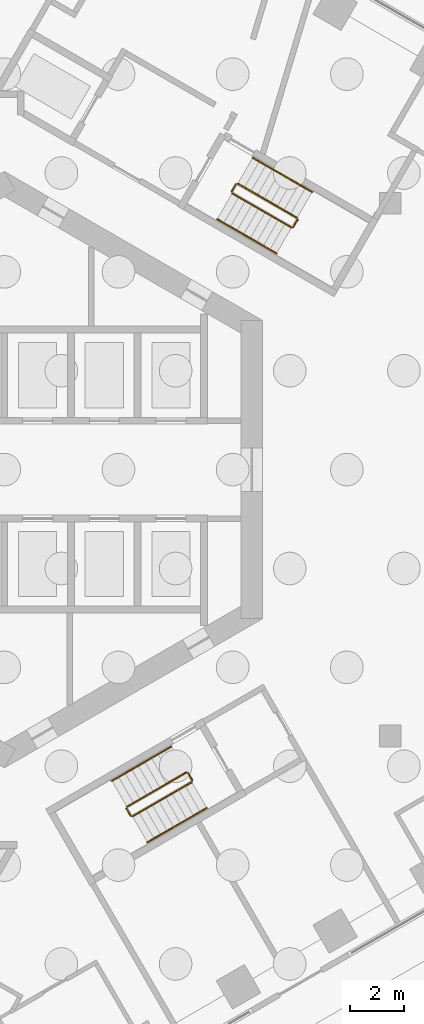
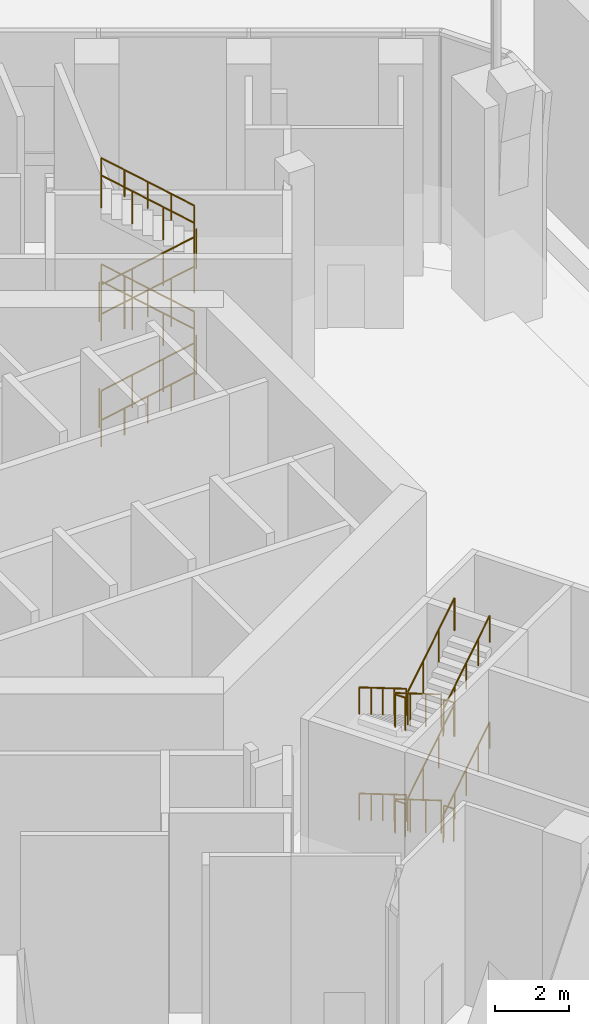
# One storey, part 17 of 18: 32 railings.
"""IFC4 building model written with IfcOpenShell, lengths in metres."""

from ifc_helpers import new_model, si_unit, direction, frame, origin, origin_2d, place, context, subcontext, project, spatial, circle, extrude, material, type_object, element, save


model = new_model("IFC4")

# Units and contexts
model_context = context("Model", 3, precision=1e-05, world=origin(), true_north=direction((0.0, 1.0)))
body_context = subcontext(model_context, "Body", "Model", "MODEL_VIEW")
ifc_project = project(units=[si_unit("LENGTHUNIT", "METRE"), si_unit("AREAUNIT", "SQUARE_METRE"), si_unit("VOLUMEUNIT", "CUBIC_METRE"), si_unit("PLANEANGLEUNIT", "RADIAN"), si_unit("MASSUNIT", "GRAM", prefix="KILO")], contexts=[model_context])

# Site, building, storey
site_placement = place(None, origin())
site = spatial("IfcSite", under=ifc_project, at=site_placement, CompositionType="ELEMENT")
building_placement = place(site_placement, origin())
building = spatial("IfcBuilding", under=site, at=building_placement, Name="Ayvan Gate Tower", CompositionType="ELEMENT")
storey_placement = place(building_placement, origin())
storey = spatial("IfcBuildingStorey", under=building, at=storey_placement, Name="L00", CompositionType="ELEMENT", Elevation=0.0)

# Railings
ifc_material = material(Name="Stainless steel balustrade", Category="steel")
railing_type_1 = type_object("IfcRailingType", Name="RL-GUARD-1100", PredefinedType="GUARDRAIL", material=ifc_material)
railing_1_placement = place(storey_placement, frame((8.381103515625, 10.16650390625, 0.175048828125)))
element("IfcRailing", 1, at=railing_1_placement, inside=storey, type_object=railing_type_1, Name="L00 STS1 stair guard 1", PredefinedType="GUARDRAIL", context=body_context, shape_type="SweptSolid", body=[
    extrude(circle(Radius=0.02392578125, at=origin_2d()), frame((0.0, 0.0, 1.076171875), z_axis=(0.73439174503, -0.42400668935, 0.529987822708), x_axis=(0.500004791531, 0.866022637375, 0.0)), (0.0, 0.0, 1.0), 2.9716796875),
    extrude(circle(Radius=0.02099609375, at=origin_2d()), origin(), (0.0, 0.0, 1.0), 1.052001953125),
    extrude(circle(Radius=0.02099609375, at=origin_2d()), frame((0.7275390625, -0.419921875, 0.52490234375)), (0.0, 0.0, 1.0), 1.052001953125),
    extrude(circle(Radius=0.02099609375, at=origin_2d()), frame((1.454833984375, -0.840087890625, 1.050048828125)), (0.0, 0.0, 1.0), 1.052001953125),
    extrude(circle(Radius=0.02099609375, at=origin_2d()), frame((2.182373046875, -1.260009765625, 1.574951171875)), (0.0, 0.0, 1.0), 1.052001953125),
])
railing_2_placement = place(storey_placement, frame((10.6318359375, 8.9248046875, 1.75)))
element("IfcRailing", 2, at=railing_2_placement, inside=storey, type_object=railing_type_1, Name="L00 STS1 stair guard 2", PredefinedType="GUARDRAIL", context=body_context, shape_type="SweptSolid", body=[
    extrude(circle(Radius=0.02392578125, at=origin_2d()), frame((0.0, 0.0, 1.076171875), z_axis=(0.499949632511, 0.866054481515, 0.0), x_axis=(-0.866054481515, 0.499949632511, 0.0)), (0.0, 0.0, 1.0), 0.31005859375),
    extrude(circle(Radius=0.02099609375, at=origin_2d()), origin(), (0.0, 0.0, 1.0), 1.052001953125),
    extrude(circle(Radius=0.02099609375, at=origin_2d()), frame((0.155029296875, 0.2685546875, 0.0)), (0.0, 0.0, 1.0), 1.052001953125),
])
railing_3_placement = place(storey_placement, frame((10.7685546875, 9.261474609375, 1.925048828125)))
element("IfcRailing", 3, at=railing_3_placement, inside=storey, type_object=railing_type_1, Name="L00 STS1 stair guard 3", PredefinedType="GUARDRAIL", context=body_context, shape_type="SweptSolid", body=[
    extrude(circle(Radius=0.02392578125, at=origin_2d()), frame((0.0, 0.0, 1.076171875), z_axis=(-0.73439174503, 0.42400668935, 0.529987822708), x_axis=(-0.500004791531, -0.866022637375, 0.0)), (0.0, 0.0, 1.0), 2.9716796875),
    extrude(circle(Radius=0.02099609375, at=origin_2d()), origin(), (0.0, 0.0, 1.0), 1.052001953125),
    extrude(circle(Radius=0.02099609375, at=origin_2d()), frame((-0.7275390625, 0.419921875, 0.52490234375)), (0.0, 0.0, 1.0), 1.052001953125),
    extrude(circle(Radius=0.02099609375, at=origin_2d()), frame((-1.454833984375, 0.840087890625, 1.050048828125)), (0.0, 0.0, 1.0), 1.052001953125),
    extrude(circle(Radius=0.02099609375, at=origin_2d()), frame((-2.182373046875, 1.260009765625, 1.574951171875)), (0.0, 0.0, 1.0), 1.052001953125),
])
railing_4_placement = place(storey_placement, frame((8.36279296875, 10.23486328125, 3.5)))
element("IfcRailing", 4, at=railing_4_placement, inside=storey, type_object=railing_type_1, Name="L00 STS1 stair guard 4", PredefinedType="GUARDRAIL", context=body_context, shape_type="SweptSolid", body=[
    extrude(circle(Radius=0.02392578125, at=origin_2d()), frame((0.0, 0.0, 1.076171875), z_axis=(0.500290723946, 0.86585748916, 0.0), x_axis=(-0.86585748916, 0.500290723946, 0.0)), (0.0, 0.0, 1.0), 0.309814453125),
    extrude(circle(Radius=0.02099609375, at=origin_2d()), origin(), (0.0, 0.0, 1.0), 1.052001953125),
    extrude(circle(Radius=0.02099609375, at=origin_2d()), frame((0.155029296875, 0.268310546875, 0.0)), (0.0, 0.0, 1.0), 1.052001953125),
])
railing_5_placement = place(storey_placement, frame((8.381103515625, 10.16650390625, 3.675048828125)))
element("IfcRailing", 5, at=railing_5_placement, inside=storey, type_object=railing_type_1, Name="L00 STS1 stair guard 5", PredefinedType="GUARDRAIL", context=body_context, shape_type="SweptSolid", body=[
    extrude(circle(Radius=0.02392578125, at=origin_2d()), frame((0.0, 0.0, 1.076171875), z_axis=(0.73439174503, -0.42400668935, 0.529987822708), x_axis=(0.500004791531, 0.866022637375, 0.0)), (0.0, 0.0, 1.0), 2.9716796875),
    extrude(circle(Radius=0.02099609375, at=origin_2d()), origin(), (0.0, 0.0, 1.0), 1.052001953125),
    extrude(circle(Radius=0.02099609375, at=origin_2d()), frame((0.7275390625, -0.419921875, 0.52490234375)), (0.0, 0.0, 1.0), 1.052001953125),
    extrude(circle(Radius=0.02099609375, at=origin_2d()), frame((1.454833984375, -0.840087890625, 1.050048828125)), (0.0, 0.0, 1.0), 1.052001953125),
    extrude(circle(Radius=0.02099609375, at=origin_2d()), frame((2.182373046875, -1.260009765625, 1.574951171875)), (0.0, 0.0, 1.0), 1.052001953125),
])
railing_6_placement = place(storey_placement, frame((10.6318359375, 8.9248046875, 5.25)))
element("IfcRailing", 6, at=railing_6_placement, inside=storey, type_object=railing_type_1, Name="L00 STS1 stair guard 6", PredefinedType="GUARDRAIL", context=body_context, shape_type="SweptSolid", body=[
    extrude(circle(Radius=0.02392578125, at=origin_2d()), frame((0.0, 0.0, 1.076171875), z_axis=(0.499949632511, 0.866054481515, 0.0), x_axis=(-0.866054481515, 0.499949632511, 0.0)), (0.0, 0.0, 1.0), 0.31005859375),
    extrude(circle(Radius=0.02099609375, at=origin_2d()), origin(), (0.0, 0.0, 1.0), 1.052001953125),
    extrude(circle(Radius=0.02099609375, at=origin_2d()), frame((0.155029296875, 0.2685546875, 0.0)), (0.0, 0.0, 1.0), 1.052001953125),
])
railing_7_placement = place(storey_placement, frame((10.7685546875, 9.261474609375, 5.425048828125)))
element("IfcRailing", 7, at=railing_7_placement, inside=storey, type_object=railing_type_1, Name="L00 STS1 stair guard 7", PredefinedType="GUARDRAIL", context=body_context, shape_type="SweptSolid", body=[
    extrude(circle(Radius=0.02392578125, at=origin_2d()), frame((0.0, 0.0, 1.076171875), z_axis=(-0.73439174503, 0.42400668935, 0.529987822708), x_axis=(-0.500004791531, -0.866022637375, 0.0)), (0.0, 0.0, 1.0), 2.9716796875),
    extrude(circle(Radius=0.02099609375, at=origin_2d()), origin(), (0.0, 0.0, 1.0), 1.052001953125),
    extrude(circle(Radius=0.02099609375, at=origin_2d()), frame((-0.7275390625, 0.419921875, 0.52490234375)), (0.0, 0.0, 1.0), 1.052001953125),
    extrude(circle(Radius=0.02099609375, at=origin_2d()), frame((-1.454833984375, 0.840087890625, 1.050048828125)), (0.0, 0.0, 1.0), 1.052001953125),
    extrude(circle(Radius=0.02099609375, at=origin_2d()), frame((-2.182373046875, 1.260009765625, 1.574951171875)), (0.0, 0.0, 1.0), 1.052001953125),
])
railing_8_placement = place(storey_placement, frame((8.36279296875, 10.23486328125, 0.0)))
element("IfcRailing", 8, at=railing_8_placement, inside=storey, type_object=railing_type_1, Name="L00 STS1 stair guard 8", PredefinedType="GUARDRAIL", context=body_context, shape_type="SweptSolid", body=[
    extrude(circle(Radius=0.02392578125, at=origin_2d()), frame((0.0, 0.0, 1.076171875), z_axis=(0.500290723946, 0.86585748916, 0.0), x_axis=(-0.86585748916, 0.500290723946, 0.0)), (0.0, 0.0, 1.0), 0.309814453125),
    extrude(circle(Radius=0.02099609375, at=origin_2d()), origin(), (0.0, 0.0, 1.0), 1.052001953125),
    extrude(circle(Radius=0.02099609375, at=origin_2d()), frame((0.155029296875, 0.268310546875, 0.0)), (0.0, 0.0, 1.0), 1.052001953125),
])
railing_9_placement = place(storey_placement, frame((6.6923828125, -11.1416015625, 0.175048828125)))
element("IfcRailing", 9, at=railing_9_placement, inside=storey, type_object=railing_type_1, Name="L00 STS3 stair guard 1", PredefinedType="GUARDRAIL", context=body_context, shape_type="SweptSolid", body=[
    extrude(circle(Radius=0.02392578125, at=origin_2d()), frame((0.0, 0.0, 1.076171875), z_axis=(-0.73439174503, -0.42400668935, 0.529987822708), x_axis=(0.500004791531, -0.866022637375, 0.0)), (0.0, 0.0, 1.0), 2.9716796875),
    extrude(circle(Radius=0.02099609375, at=origin_2d()), origin(), (0.0, 0.0, 1.0), 1.052001953125),
    extrude(circle(Radius=0.02099609375, at=origin_2d()), frame((-0.7275390625, -0.419921875, 0.52490234375)), (0.0, 0.0, 1.0), 1.052001953125),
    extrude(circle(Radius=0.02099609375, at=origin_2d()), frame((-1.454833984375, -0.840087890625, 1.050048828125)), (0.0, 0.0, 1.0), 1.052001953125),
    extrude(circle(Radius=0.02099609375, at=origin_2d()), frame((-2.182373046875, -1.260009765625, 1.574951171875)), (0.0, 0.0, 1.0), 1.052001953125),
])
railing_10_placement = place(storey_placement, frame((4.49169921875, -12.4697265625, 1.75)))
element("IfcRailing", 10, at=railing_10_placement, inside=storey, type_object=railing_type_1, Name="L00 STS3 stair guard 2", PredefinedType="GUARDRAIL", context=body_context, shape_type="SweptSolid", body=[
    extrude(circle(Radius=0.02392578125, at=origin_2d()), frame((0.0, 0.0, 1.076171875), z_axis=(0.499949632511, -0.866054481515, 0.0), x_axis=(0.866054481515, 0.499949632511, 0.0)), (0.0, 0.0, 1.0), 0.31005859375),
    extrude(circle(Radius=0.02099609375, at=origin_2d()), origin(), (0.0, 0.0, 1.0), 1.052001953125),
    extrude(circle(Radius=0.02099609375, at=origin_2d()), frame((0.155029296875, -0.2685546875, 0.0)), (0.0, 0.0, 1.0), 1.052001953125),
])
railing_11_placement = place(storey_placement, frame((4.715087890625, -12.756591796875, 1.925048828125)))
element("IfcRailing", 11, at=railing_11_placement, inside=storey, type_object=railing_type_1, Name="L00 STS3 stair guard 3", PredefinedType="GUARDRAIL", context=body_context, shape_type="SweptSolid", body=[
    extrude(circle(Radius=0.02392578125, at=origin_2d()), frame((0.0, 0.0, 1.076171875), z_axis=(0.73439174503, 0.42400668935, 0.529987822708), x_axis=(-0.500004791531, 0.866022637375, 0.0)), (0.0, 0.0, 1.0), 2.9716796875),
    extrude(circle(Radius=0.02099609375, at=origin_2d()), origin(), (0.0, 0.0, 1.0), 1.052001953125),
    extrude(circle(Radius=0.02099609375, at=origin_2d()), frame((0.7275390625, 0.419921875, 0.52490234375)), (0.0, 0.0, 1.0), 1.052001953125),
    extrude(circle(Radius=0.02099609375, at=origin_2d()), frame((1.454833984375, 0.840087890625, 1.050048828125)), (0.0, 0.0, 1.0), 1.052001953125),
    extrude(circle(Radius=0.02099609375, at=origin_2d()), frame((2.182373046875, 1.260009765625, 1.574951171875)), (0.0, 0.0, 1.0), 1.052001953125),
])
railing_12_placement = place(storey_placement, frame((6.7607421875, -11.159912109375, 3.5)))
element("IfcRailing", 12, at=railing_12_placement, inside=storey, type_object=railing_type_1, Name="L00 STS3 stair guard 4", PredefinedType="GUARDRAIL", context=body_context, shape_type="SweptSolid", body=[
    extrude(circle(Radius=0.02392578125, at=origin_2d()), frame((0.0, 0.0, 1.076171875), z_axis=(0.500290723946, -0.86585748916, 0.0), x_axis=(0.86585748916, 0.500290723946, 0.0)), (0.0, 0.0, 1.0), 0.309814453125),
    extrude(circle(Radius=0.02099609375, at=origin_2d()), origin(), (0.0, 0.0, 1.0), 1.052001953125),
    extrude(circle(Radius=0.02099609375, at=origin_2d()), frame((0.155029296875, -0.268310546875, 0.0)), (0.0, 0.0, 1.0), 1.052001953125),
])
railing_13_placement = place(storey_placement, frame((6.6923828125, -11.1416015625, 3.675048828125)))
element("IfcRailing", 13, at=railing_13_placement, inside=storey, type_object=railing_type_1, Name="L00 STS3 stair guard 5", PredefinedType="GUARDRAIL", context=body_context, shape_type="SweptSolid", body=[
    extrude(circle(Radius=0.02392578125, at=origin_2d()), frame((0.0, 0.0, 1.076171875), z_axis=(-0.73439174503, -0.42400668935, 0.529987822708), x_axis=(0.500004791531, -0.866022637375, 0.0)), (0.0, 0.0, 1.0), 2.9716796875),
    extrude(circle(Radius=0.02099609375, at=origin_2d()), origin(), (0.0, 0.0, 1.0), 1.052001953125),
    extrude(circle(Radius=0.02099609375, at=origin_2d()), frame((-0.7275390625, -0.419921875, 0.52490234375)), (0.0, 0.0, 1.0), 1.052001953125),
    extrude(circle(Radius=0.02099609375, at=origin_2d()), frame((-1.454833984375, -0.840087890625, 1.050048828125)), (0.0, 0.0, 1.0), 1.052001953125),
    extrude(circle(Radius=0.02099609375, at=origin_2d()), frame((-2.182373046875, -1.260009765625, 1.574951171875)), (0.0, 0.0, 1.0), 1.052001953125),
])
railing_14_placement = place(storey_placement, frame((4.49169921875, -12.4697265625, 5.25)))
element("IfcRailing", 14, at=railing_14_placement, inside=storey, type_object=railing_type_1, Name="L00 STS3 stair guard 6", PredefinedType="GUARDRAIL", context=body_context, shape_type="SweptSolid", body=[
    extrude(circle(Radius=0.02392578125, at=origin_2d()), frame((0.0, 0.0, 1.076171875), z_axis=(0.499949632511, -0.866054481515, 0.0), x_axis=(0.866054481515, 0.499949632511, 0.0)), (0.0, 0.0, 1.0), 0.31005859375),
    extrude(circle(Radius=0.02099609375, at=origin_2d()), origin(), (0.0, 0.0, 1.0), 1.052001953125),
    extrude(circle(Radius=0.02099609375, at=origin_2d()), frame((0.155029296875, -0.2685546875, 0.0)), (0.0, 0.0, 1.0), 1.052001953125),
])
railing_15_placement = place(storey_placement, frame((4.715087890625, -12.756591796875, 5.425048828125)))
element("IfcRailing", 15, at=railing_15_placement, inside=storey, type_object=railing_type_1, Name="L00 STS3 stair guard 7", PredefinedType="GUARDRAIL", context=body_context, shape_type="SweptSolid", body=[
    extrude(circle(Radius=0.02392578125, at=origin_2d()), frame((0.0, 0.0, 1.076171875), z_axis=(0.73439174503, 0.42400668935, 0.529987822708), x_axis=(-0.500004791531, 0.866022637375, 0.0)), (0.0, 0.0, 1.0), 2.9716796875),
    extrude(circle(Radius=0.02099609375, at=origin_2d()), origin(), (0.0, 0.0, 1.0), 1.052001953125),
    extrude(circle(Radius=0.02099609375, at=origin_2d()), frame((0.7275390625, 0.419921875, 0.52490234375)), (0.0, 0.0, 1.0), 1.052001953125),
    extrude(circle(Radius=0.02099609375, at=origin_2d()), frame((1.454833984375, 0.840087890625, 1.050048828125)), (0.0, 0.0, 1.0), 1.052001953125),
    extrude(circle(Radius=0.02099609375, at=origin_2d()), frame((2.182373046875, 1.260009765625, 1.574951171875)), (0.0, 0.0, 1.0), 1.052001953125),
])
railing_16_placement = place(storey_placement, frame((6.7607421875, -11.159912109375, 0.0)))
element("IfcRailing", 16, at=railing_16_placement, inside=storey, type_object=railing_type_1, Name="L00 STS3 stair guard 8", PredefinedType="GUARDRAIL", context=body_context, shape_type="SweptSolid", body=[
    extrude(circle(Radius=0.02392578125, at=origin_2d()), frame((0.0, 0.0, 1.076171875), z_axis=(0.500290723946, -0.86585748916, 0.0), x_axis=(0.86585748916, 0.500290723946, 0.0)), (0.0, 0.0, 1.0), 0.309814453125),
    extrude(circle(Radius=0.02099609375, at=origin_2d()), origin(), (0.0, 0.0, 1.0), 1.052001953125),
    extrude(circle(Radius=0.02099609375, at=origin_2d()), frame((0.155029296875, -0.268310546875, 0.0)), (0.0, 0.0, 1.0), 1.052001953125),
])
railing_type_2 = type_object("IfcRailingType", Name="RL-HANDRAIL-900", PredefinedType="HANDRAIL", material=ifc_material)
railing_17_placement = place(storey_placement, frame((7.8310546875, 9.2138671875, 0.175048828125)))
element("IfcRailing", 17, at=railing_17_placement, inside=storey, type_object=railing_type_2, Name="L00 STS1 stair handrail 1", PredefinedType="HANDRAIL", context=body_context, shape_type="SweptSolid", body=[
    extrude(circle(Radius=0.02392578125, at=origin_2d()), frame((0.0, 0.0, 0.8759765625), z_axis=(0.734487145003, -0.423932177652, 0.529915222066), x_axis=(0.499890179513, 0.866088799389, 0.0)), (0.0, 0.0, 1.0), 1.48583984375),
    extrude(circle(Radius=0.02099609375, at=origin_2d()), origin(), (0.0, 0.0, 1.0), 0.851806640625),
    extrude(circle(Radius=0.02099609375, at=origin_2d()), frame((0.545654296875, -0.31494140625, 0.3935546875)), (0.0, 0.0, 1.0), 0.851806640625),
    extrude(circle(Radius=0.02099609375, at=origin_2d()), frame((1.09130859375, -0.6298828125, 0.787353515625)), (0.0, 0.0, 1.0), 0.851806640625),
])
railing_18_placement = place(storey_placement, frame((8.92236328125, 8.583984375, 0.96240234375)))
element("IfcRailing", 18, at=railing_18_placement, inside=storey, type_object=railing_type_2, Name="L00 STS1 stair handrail 2", PredefinedType="HANDRAIL", context=body_context, shape_type="SweptSolid", body=[
    extrude(circle(Radius=0.02392578125, at=origin_2d()), frame((0.0, 0.0, 0.8759765625), z_axis=(0.734296333868, -0.424081189911, 0.530060410172), x_axis=(0.50011940292, 0.865956455501, 0.0)), (0.0, 0.0, 1.0), 1.48583984375),
    extrude(circle(Radius=0.02099609375, at=origin_2d()), origin(), (0.0, 0.0, 1.0), 0.851806640625),
    extrude(circle(Radius=0.02099609375, at=origin_2d()), frame((0.54541015625, -0.31494140625, 0.393798828125)), (0.0, 0.0, 1.0), 0.851806640625),
    extrude(circle(Radius=0.02099609375, at=origin_2d()), frame((1.091064453125, -0.630126953125, 0.78759765625)), (0.0, 0.0, 1.0), 0.851806640625),
])
railing_19_placement = place(storey_placement, frame((11.318603515625, 10.214111328125, 1.925048828125)))
element("IfcRailing", 19, at=railing_19_placement, inside=storey, type_object=railing_type_2, Name="L00 STS1 stair handrail 3", PredefinedType="HANDRAIL", context=body_context, shape_type="SweptSolid", body=[
    extrude(circle(Radius=0.02392578125, at=origin_2d()), frame((0.0, 0.0, 0.8759765625), z_axis=(-0.734435977287, 0.424066947959, 0.529878305761), x_axis=(-0.500035496587, -0.86600490885, 0.0)), (0.0, 0.0, 1.0), 1.48583984375),
    extrude(circle(Radius=0.02099609375, at=origin_2d()), origin(), (0.0, 0.0, 1.0), 0.851806640625),
    extrude(circle(Radius=0.02099609375, at=origin_2d()), frame((-0.545654296875, 0.31494140625, 0.3935546875)), (0.0, 0.0, 1.0), 0.851806640625),
    extrude(circle(Radius=0.02099609375, at=origin_2d()), frame((-1.09130859375, 0.630126953125, 0.787353515625)), (0.0, 0.0, 1.0), 0.851806640625),
])
railing_20_placement = place(storey_placement, frame((10.227294921875, 10.84423828125, 2.71240234375)))
element("IfcRailing", 20, at=railing_20_placement, inside=storey, type_object=railing_type_2, Name="L00 STS1 stair handrail 4", PredefinedType="HANDRAIL", context=body_context, shape_type="SweptSolid", body=[
    extrude(circle(Radius=0.02392578125, at=origin_2d()), frame((0.0, 0.0, 0.8759765625), z_axis=(-0.734423189507, 0.423895263742, 0.530033380167), x_axis=(-0.499890179513, -0.866088799389, 0.0)), (0.0, 0.0, 1.0), 1.48583984375),
    extrude(circle(Radius=0.02099609375, at=origin_2d()), origin(), (0.0, 0.0, 1.0), 0.851806640625),
    extrude(circle(Radius=0.02099609375, at=origin_2d()), frame((-0.545654296875, 0.31494140625, 0.393798828125)), (0.0, 0.0, 1.0), 0.851806640625),
    extrude(circle(Radius=0.02099609375, at=origin_2d()), frame((-1.09130859375, 0.6298828125, 0.78759765625)), (0.0, 0.0, 1.0), 0.851806640625),
])
railing_21_placement = place(storey_placement, frame((7.8310546875, 9.2138671875, 3.675048828125)))
element("IfcRailing", 21, at=railing_21_placement, inside=storey, type_object=railing_type_2, Name="L00 STS1 stair handrail 5", PredefinedType="HANDRAIL", context=body_context, shape_type="SweptSolid", body=[
    extrude(circle(Radius=0.02392578125, at=origin_2d()), frame((0.0, 0.0, 0.8759765625), z_axis=(0.734487145003, -0.423932177652, 0.529915222066), x_axis=(0.499890179513, 0.866088799389, 0.0)), (0.0, 0.0, 1.0), 1.48583984375),
    extrude(circle(Radius=0.02099609375, at=origin_2d()), origin(), (0.0, 0.0, 1.0), 0.851806640625),
    extrude(circle(Radius=0.02099609375, at=origin_2d()), frame((0.545654296875, -0.31494140625, 0.3935546875)), (0.0, 0.0, 1.0), 0.851806640625),
    extrude(circle(Radius=0.02099609375, at=origin_2d()), frame((1.09130859375, -0.6298828125, 0.787353515625)), (0.0, 0.0, 1.0), 0.851806640625),
])
railing_22_placement = place(storey_placement, frame((8.92236328125, 8.583984375, 4.46240234375)))
element("IfcRailing", 22, at=railing_22_placement, inside=storey, type_object=railing_type_2, Name="L00 STS1 stair handrail 6", PredefinedType="HANDRAIL", context=body_context, shape_type="SweptSolid", body=[
    extrude(circle(Radius=0.02392578125, at=origin_2d()), frame((0.0, 0.0, 0.8759765625), z_axis=(0.734296333868, -0.424081189911, 0.530060410172), x_axis=(0.50011940292, 0.865956455501, 0.0)), (0.0, 0.0, 1.0), 1.48583984375),
    extrude(circle(Radius=0.02099609375, at=origin_2d()), origin(), (0.0, 0.0, 1.0), 0.851806640625),
    extrude(circle(Radius=0.02099609375, at=origin_2d()), frame((0.54541015625, -0.31494140625, 0.393798828125)), (0.0, 0.0, 1.0), 0.851806640625),
    extrude(circle(Radius=0.02099609375, at=origin_2d()), frame((1.091064453125, -0.630126953125, 0.78759765625)), (0.0, 0.0, 1.0), 0.851806640625),
])
railing_23_placement = place(storey_placement, frame((11.318603515625, 10.214111328125, 5.425048828125)))
element("IfcRailing", 23, at=railing_23_placement, inside=storey, type_object=railing_type_2, Name="L00 STS1 stair handrail 7", PredefinedType="HANDRAIL", context=body_context, shape_type="SweptSolid", body=[
    extrude(circle(Radius=0.02392578125, at=origin_2d()), frame((0.0, 0.0, 0.8759765625), z_axis=(-0.734435977287, 0.424066947959, 0.529878305761), x_axis=(-0.500035496587, -0.86600490885, 0.0)), (0.0, 0.0, 1.0), 1.48583984375),
    extrude(circle(Radius=0.02099609375, at=origin_2d()), origin(), (0.0, 0.0, 1.0), 0.851806640625),
    extrude(circle(Radius=0.02099609375, at=origin_2d()), frame((-0.545654296875, 0.31494140625, 0.3935546875)), (0.0, 0.0, 1.0), 0.851806640625),
    extrude(circle(Radius=0.02099609375, at=origin_2d()), frame((-1.09130859375, 0.630126953125, 0.787353515625)), (0.0, 0.0, 1.0), 0.851806640625),
])
railing_24_placement = place(storey_placement, frame((10.227294921875, 10.84423828125, 6.21240234375)))
element("IfcRailing", 24, at=railing_24_placement, inside=storey, type_object=railing_type_2, Name="L00 STS1 stair handrail 8", PredefinedType="HANDRAIL", context=body_context, shape_type="SweptSolid", body=[
    extrude(circle(Radius=0.02392578125, at=origin_2d()), frame((0.0, 0.0, 0.8759765625), z_axis=(-0.734423189507, 0.423895263742, 0.530033380167), x_axis=(-0.499890179513, -0.866088799389, 0.0)), (0.0, 0.0, 1.0), 1.48583984375),
    extrude(circle(Radius=0.02099609375, at=origin_2d()), origin(), (0.0, 0.0, 1.0), 0.851806640625),
    extrude(circle(Radius=0.02099609375, at=origin_2d()), frame((-0.545654296875, 0.31494140625, 0.393798828125)), (0.0, 0.0, 1.0), 0.851806640625),
    extrude(circle(Radius=0.02099609375, at=origin_2d()), frame((-1.09130859375, 0.6298828125, 0.78759765625)), (0.0, 0.0, 1.0), 0.851806640625),
])
railing_25_placement = place(storey_placement, frame((6.142333984375, -10.18896484375, 0.175048828125)))
element("IfcRailing", 25, at=railing_25_placement, inside=storey, type_object=railing_type_2, Name="L00 STS3 stair handrail 1", PredefinedType="HANDRAIL", context=body_context, shape_type="SweptSolid", body=[
    extrude(circle(Radius=0.02392578125, at=origin_2d()), frame((0.0, 0.0, 0.8759765625), z_axis=(-0.734411459633, -0.423983344339, 0.529979180424), x_axis=(0.499974077718, -0.866040369504, 0.0)), (0.0, 0.0, 1.0), 1.485595703125),
    extrude(circle(Radius=0.02099609375, at=origin_2d()), origin(), (0.0, 0.0, 1.0), 0.851806640625),
    extrude(circle(Radius=0.02099609375, at=origin_2d()), frame((-0.54541015625, -0.31494140625, 0.3935546875)), (0.0, 0.0, 1.0), 0.851806640625),
    extrude(circle(Radius=0.02099609375, at=origin_2d()), frame((-1.091064453125, -0.6298828125, 0.787353515625)), (0.0, 0.0, 1.0), 0.851806640625),
])
railing_26_placement = place(storey_placement, frame((5.05126953125, -10.81884765625, 0.96240234375)))
element("IfcRailing", 26, at=railing_26_placement, inside=storey, type_object=railing_type_2, Name="L00 STS3 stair handrail 2", PredefinedType="HANDRAIL", context=body_context, shape_type="SweptSolid", body=[
    extrude(circle(Radius=0.02392578125, at=origin_2d()), frame((0.0, 0.0, 0.8759765625), z_axis=(-0.734372035155, -0.424030027458, 0.52999646206), x_axis=(0.500035496587, -0.86600490885, 0.0)), (0.0, 0.0, 1.0), 1.486083984375),
    extrude(circle(Radius=0.02099609375, at=origin_2d()), origin(), (0.0, 0.0, 1.0), 0.851806640625),
    extrude(circle(Radius=0.02099609375, at=origin_2d()), frame((-0.545654296875, -0.31494140625, 0.393798828125)), (0.0, 0.0, 1.0), 0.851806640625),
    extrude(circle(Radius=0.02099609375, at=origin_2d()), frame((-1.09130859375, -0.630126953125, 0.78759765625)), (0.0, 0.0, 1.0), 0.851806640625),
])
railing_27_placement = place(storey_placement, frame((5.264892578125, -13.709228515625, 1.925048828125)))
element("IfcRailing", 27, at=railing_27_placement, inside=storey, type_object=railing_type_2, Name="L00 STS3 stair handrail 3", PredefinedType="HANDRAIL", context=body_context, shape_type="SweptSolid", body=[
    extrude(circle(Radius=0.02392578125, at=origin_2d()), frame((0.0, 0.0, 0.8759765625), z_axis=(0.734435977287, 0.424066947959, 0.529878305761), x_axis=(-0.500035496587, 0.86600490885, 0.0)), (0.0, 0.0, 1.0), 1.48583984375),
    extrude(circle(Radius=0.02099609375, at=origin_2d()), origin(), (0.0, 0.0, 1.0), 0.851806640625),
    extrude(circle(Radius=0.02099609375, at=origin_2d()), frame((0.545654296875, 0.31494140625, 0.3935546875)), (0.0, 0.0, 1.0), 0.851806640625),
    extrude(circle(Radius=0.02099609375, at=origin_2d()), frame((1.09130859375, 0.630126953125, 0.787353515625)), (0.0, 0.0, 1.0), 0.851806640625),
])
railing_28_placement = place(storey_placement, frame((6.356201171875, -13.0791015625, 2.71240234375)))
element("IfcRailing", 28, at=railing_28_placement, inside=storey, type_object=railing_type_2, Name="L00 STS3 stair handrail 4", PredefinedType="HANDRAIL", context=body_context, shape_type="SweptSolid", body=[
    extrude(circle(Radius=0.02392578125, at=origin_2d()), frame((0.0, 0.0, 0.8759765625), z_axis=(0.734347495292, 0.423946417062, 0.530097341645), x_axis=(-0.499974077718, 0.866040369504, 0.0)), (0.0, 0.0, 1.0), 1.48583984375),
    extrude(circle(Radius=0.02099609375, at=origin_2d()), origin(), (0.0, 0.0, 1.0), 0.851806640625),
    extrude(circle(Radius=0.02099609375, at=origin_2d()), frame((0.54541015625, 0.31494140625, 0.393798828125)), (0.0, 0.0, 1.0), 0.851806640625),
    extrude(circle(Radius=0.02099609375, at=origin_2d()), frame((1.091064453125, 0.6298828125, 0.78759765625)), (0.0, 0.0, 1.0), 0.851806640625),
])
railing_29_placement = place(storey_placement, frame((6.142333984375, -10.18896484375, 3.675048828125)))
element("IfcRailing", 29, at=railing_29_placement, inside=storey, type_object=railing_type_2, Name="L00 STS3 stair handrail 5", PredefinedType="HANDRAIL", context=body_context, shape_type="SweptSolid", body=[
    extrude(circle(Radius=0.02392578125, at=origin_2d()), frame((0.0, 0.0, 0.8759765625), z_axis=(-0.734411459633, -0.423983344339, 0.529979180424), x_axis=(0.499974077718, -0.866040369504, 0.0)), (0.0, 0.0, 1.0), 1.485595703125),
    extrude(circle(Radius=0.02099609375, at=origin_2d()), origin(), (0.0, 0.0, 1.0), 0.851806640625),
    extrude(circle(Radius=0.02099609375, at=origin_2d()), frame((-0.54541015625, -0.31494140625, 0.3935546875)), (0.0, 0.0, 1.0), 0.851806640625),
    extrude(circle(Radius=0.02099609375, at=origin_2d()), frame((-1.091064453125, -0.6298828125, 0.787353515625)), (0.0, 0.0, 1.0), 0.851806640625),
])
railing_30_placement = place(storey_placement, frame((5.05126953125, -10.81884765625, 4.46240234375)))
element("IfcRailing", 30, at=railing_30_placement, inside=storey, type_object=railing_type_2, Name="L00 STS3 stair handrail 6", PredefinedType="HANDRAIL", context=body_context, shape_type="SweptSolid", body=[
    extrude(circle(Radius=0.02392578125, at=origin_2d()), frame((0.0, 0.0, 0.8759765625), z_axis=(-0.734372035155, -0.424030027458, 0.52999646206), x_axis=(0.500035496587, -0.86600490885, 0.0)), (0.0, 0.0, 1.0), 1.486083984375),
    extrude(circle(Radius=0.02099609375, at=origin_2d()), origin(), (0.0, 0.0, 1.0), 0.851806640625),
    extrude(circle(Radius=0.02099609375, at=origin_2d()), frame((-0.545654296875, -0.31494140625, 0.393798828125)), (0.0, 0.0, 1.0), 0.851806640625),
    extrude(circle(Radius=0.02099609375, at=origin_2d()), frame((-1.09130859375, -0.630126953125, 0.78759765625)), (0.0, 0.0, 1.0), 0.851806640625),
])
railing_31_placement = place(storey_placement, frame((5.264892578125, -13.709228515625, 5.425048828125)))
element("IfcRailing", 31, at=railing_31_placement, inside=storey, type_object=railing_type_2, Name="L00 STS3 stair handrail 7", PredefinedType="HANDRAIL", context=body_context, shape_type="SweptSolid", body=[
    extrude(circle(Radius=0.02392578125, at=origin_2d()), frame((0.0, 0.0, 0.8759765625), z_axis=(0.734435977287, 0.424066947959, 0.529878305761), x_axis=(-0.500035496587, 0.86600490885, 0.0)), (0.0, 0.0, 1.0), 1.48583984375),
    extrude(circle(Radius=0.02099609375, at=origin_2d()), origin(), (0.0, 0.0, 1.0), 0.851806640625),
    extrude(circle(Radius=0.02099609375, at=origin_2d()), frame((0.545654296875, 0.31494140625, 0.3935546875)), (0.0, 0.0, 1.0), 0.851806640625),
    extrude(circle(Radius=0.02099609375, at=origin_2d()), frame((1.09130859375, 0.630126953125, 0.787353515625)), (0.0, 0.0, 1.0), 0.851806640625),
])
railing_32_placement = place(storey_placement, frame((6.356201171875, -13.0791015625, 6.21240234375)))
element("IfcRailing", 32, at=railing_32_placement, inside=storey, type_object=railing_type_2, Name="L00 STS3 stair handrail 8", PredefinedType="HANDRAIL", context=body_context, shape_type="SweptSolid", body=[
    extrude(circle(Radius=0.02392578125, at=origin_2d()), frame((0.0, 0.0, 0.8759765625), z_axis=(0.734347495292, 0.423946417062, 0.530097341645), x_axis=(-0.499974077718, 0.866040369504, 0.0)), (0.0, 0.0, 1.0), 1.48583984375),
    extrude(circle(Radius=0.02099609375, at=origin_2d()), origin(), (0.0, 0.0, 1.0), 0.851806640625),
    extrude(circle(Radius=0.02099609375, at=origin_2d()), frame((0.54541015625, 0.31494140625, 0.393798828125)), (0.0, 0.0, 1.0), 0.851806640625),
    extrude(circle(Radius=0.02099609375, at=origin_2d()), frame((1.091064453125, 0.6298828125, 0.78759765625)), (0.0, 0.0, 1.0), 0.851806640625),
])

save(model, "model.ifc")
